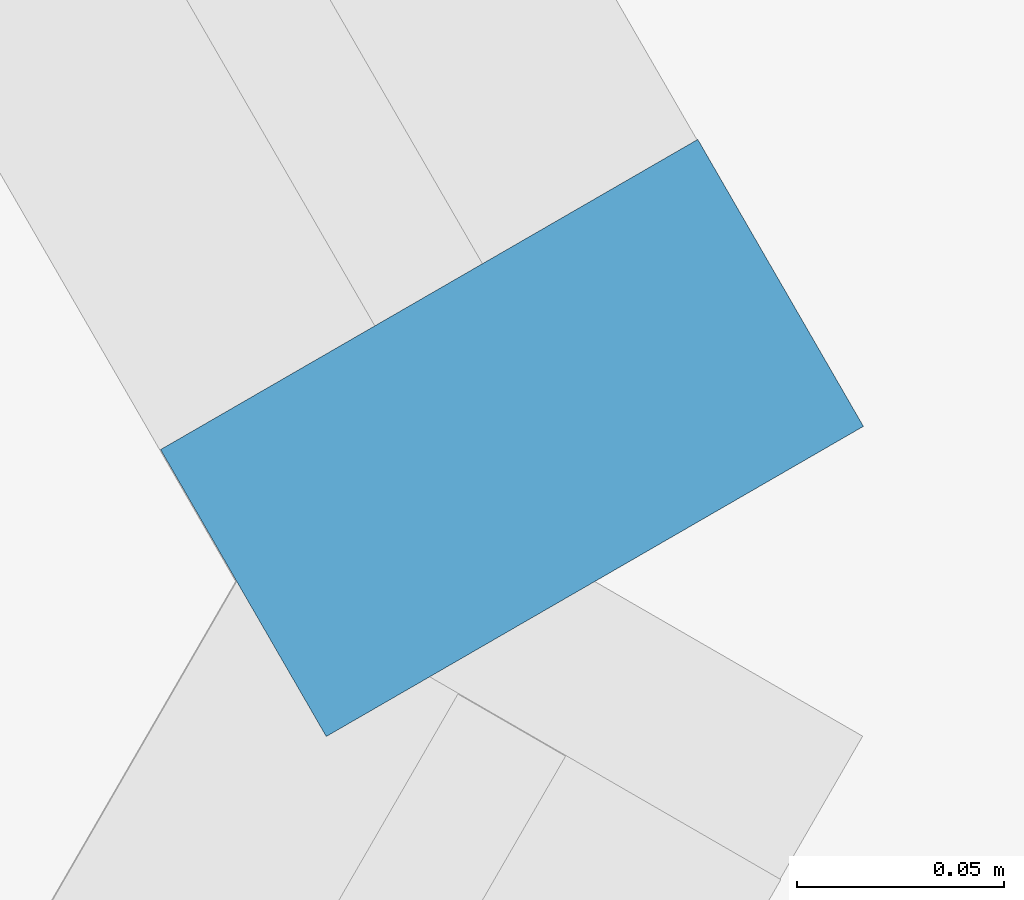
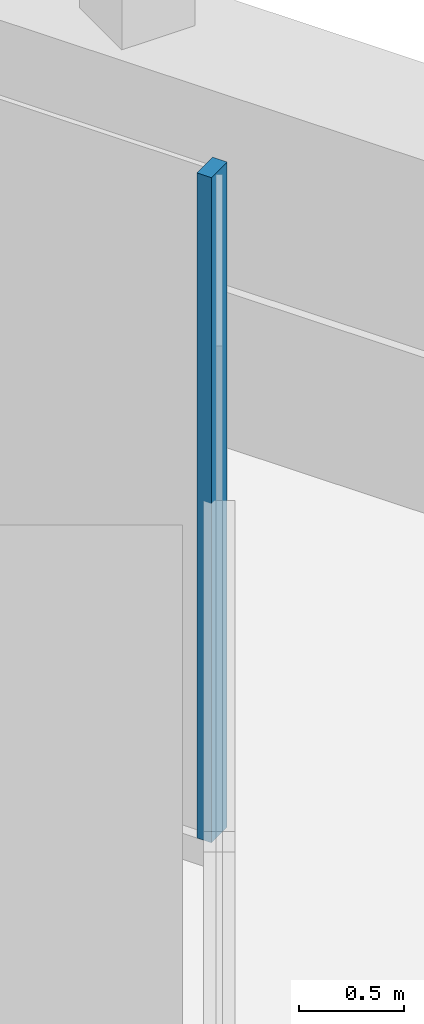
# One storey, part 13 of 26: 1 member, 1 element without a shape of its own.
"""IFC4 building model written with IfcOpenShell, lengths in metres."""

from ifc_helpers import new_model, si_unit, direction, frame, origin, origin_2d, place, context, subcontext, project, spatial, rectangle, extrude, material, layer, layer_set, material_profile, profile_set, type_object, element, aggregate, save


model = new_model("IFC4")

# Units and contexts
model_context = context("Model", 3, precision=1e-05, world=origin(), true_north=direction((0.0, 1.0)))
body_context = subcontext(model_context, "Body", "Model", "MODEL_VIEW")
ifc_project = project(units=[si_unit("LENGTHUNIT", "METRE"), si_unit("AREAUNIT", "SQUARE_METRE"), si_unit("VOLUMEUNIT", "CUBIC_METRE"), si_unit("PLANEANGLEUNIT", "RADIAN"), si_unit("MASSUNIT", "GRAM", prefix="KILO")], contexts=[model_context])

# Site, building, storey
site_placement = place(None, origin())
site = spatial("IfcSite", under=ifc_project, at=site_placement, CompositionType="ELEMENT")
building_placement = place(site_placement, origin())
building = spatial("IfcBuilding", under=site, at=building_placement, Name="Firuza Gate Tower and Library", CompositionType="ELEMENT")
storey_placement = place(building_placement, frame((0.0, 0.0, 52.60009765625)))
storey = spatial("IfcBuildingStorey", under=building, at=storey_placement, Name="L11", CompositionType="ELEMENT", Elevation=52.60009765625)

# Curtain wall, member
ifc_material_1 = material(Name="Aluminium 6063-T6", Category="aluminium")
ifc_layer = layer(ifc_material_1, 0.14990234375)
ifc_layer_set = layer_set([ifc_layer], Name="Unitised curtain wall, offices")
curtain_wall_type = type_object("IfcCurtainWallType", Name="Unitised curtain wall, offices", PredefinedType="NOTDEFINED", material=ifc_layer_set)
curtain_wall_placement = place(storey_placement, origin())
curtain_wall = element("IfcCurtainWall", 1, at=curtain_wall_placement, inside=storey, type_object=curtain_wall_type, Name="CW1 L11 E face", PredefinedType="NOTDEFINED")
ifc_material_2 = material(Name="Aluminium 6063-T6", Category="aluminium")
ifc_material_profile = material_profile(ifc_material_2, rectangle(XDim=0.14990234375, YDim=0.080078125, at=origin_2d()))
ifc_profile_set = profile_set([ifc_material_profile], Name="Aluminium 6063-T6")
member_type = type_object("IfcMemberType", Name="Curtain wall mullion 80x150", PredefinedType="MULLION", material=ifc_profile_set)
member_placement = place(storey_placement, frame((107.368408203125, 60.542236328125, 0.14990234375), z_axis=(0.0, 0.0, 1.0), x_axis=(-0.866025403784, -0.5, 0.0)))
member = element("IfcMember", 2, at=member_placement, type_object=member_type, Name="Mullion", PredefinedType="MULLION", context=body_context, shape_type="SweptSolid", body=[
    extrude(rectangle(XDim=0.14990234375, YDim=0.080078125, at=origin_2d()), origin(), (0.0, 0.0, 1.0), 3.85009765625),
])
aggregate(curtain_wall, [member])

save(model, "model.ifc")
